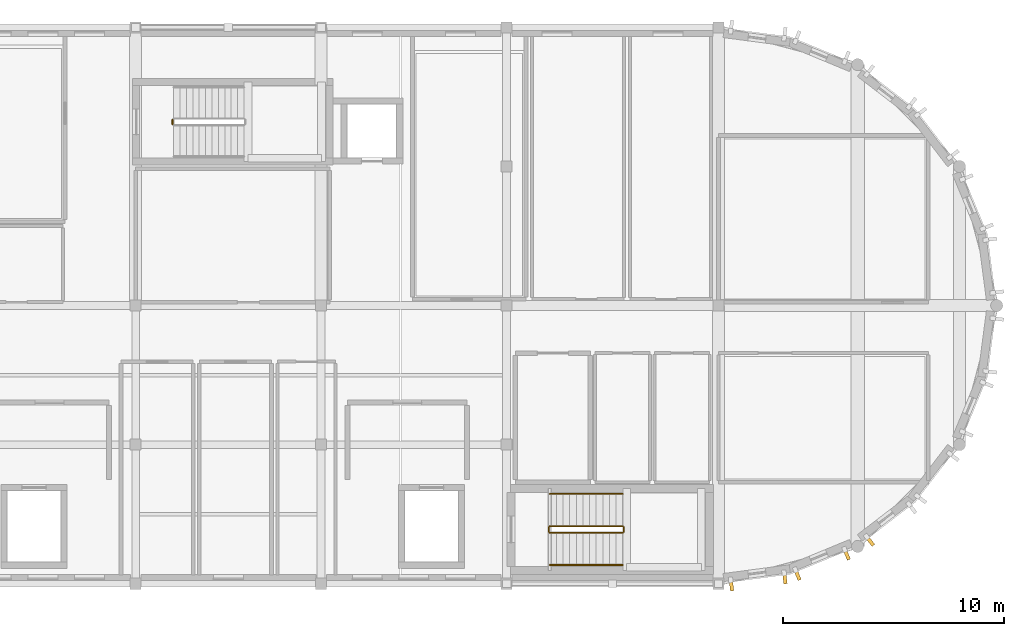
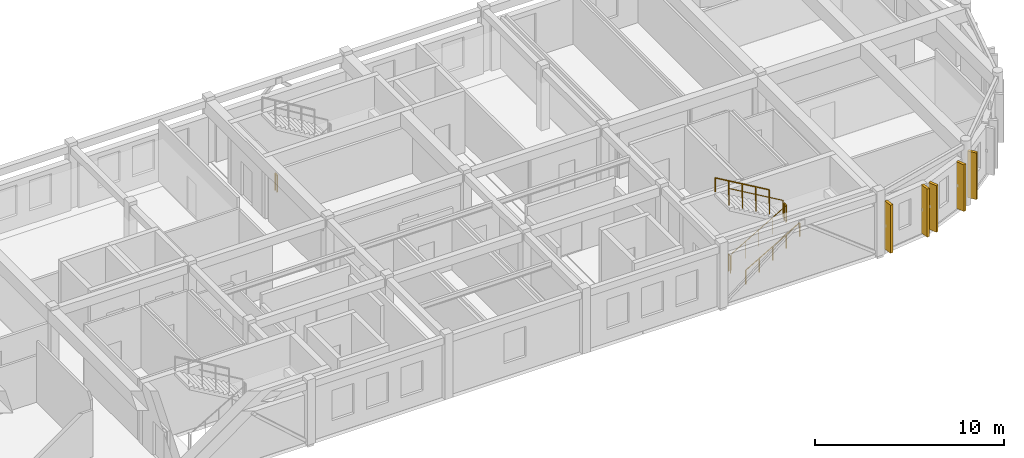
# One storey, part 9 of 11: 7 railings, 5 coverings.
"""IFC4 building model written with IfcOpenShell, lengths in metres."""

from ifc_helpers import new_model, si_unit, direction, frame, origin, origin_2d, place, context, subcontext, project, spatial, rectangle, circle, extrude, material, layer, layer_set, type_object, element, save


model = new_model("IFC4")

# Units and contexts
model_context = context("Model", 3, precision=1e-05, world=origin(), true_north=direction((0.0, 1.0)))
body_context = subcontext(model_context, "Body", "Model", "MODEL_VIEW")
ifc_project = project(units=[si_unit("LENGTHUNIT", "METRE"), si_unit("AREAUNIT", "SQUARE_METRE"), si_unit("VOLUMEUNIT", "CUBIC_METRE"), si_unit("PLANEANGLEUNIT", "RADIAN"), si_unit("MASSUNIT", "GRAM", prefix="KILO")], contexts=[model_context])

# Site, building, storey
site_placement = place(None, origin())
site = spatial("IfcSite", under=ifc_project, at=site_placement, CompositionType="ELEMENT")
building_placement = place(site_placement, origin())
building = spatial("IfcBuilding", under=site, at=building_placement, Name="Tarnavel Promenade Courthouse", CompositionType="ELEMENT")
storey_placement = place(building_placement, frame((0.0, 0.0, 31.199951171875)))
storey = spatial("IfcBuildingStorey", under=building, at=storey_placement, Name="L08", CompositionType="ELEMENT", Elevation=31.199951171875)

# Railings
ifc_material_1 = material(Name="Brushed Bronze Tubular Stair Handrail")
railing_type_1 = type_object("IfcRailingType", Name="Brushed Bronze Tubular Stair Handrail (RL-HND-0900)", PredefinedType="HANDRAIL", material=ifc_material_1)
railing_1_placement = place(storey_placement, frame((94.360107421875, 80.050048828125, 0.175048828125)))
element("IfcRailing", 1, at=railing_1_placement, inside=storey, type_object=railing_type_1, Name="L08 ST-02 stair handrail 1", PredefinedType="HANDRAIL", context=body_context, shape_type="SweptSolid", body=[
    extrude(circle(Radius=0.02392578125, at=origin_2d()), frame((0.0, 0.0, 0.8759765625), z_axis=(0.863760357493, 0.0, 0.503902812876), x_axis=(0.0, 1.0, 0.0)), (0.0, 0.0, 1.0), 3.8203125),
    extrude(circle(Radius=0.02099609375, at=origin_2d()), origin(), (0.0, 0.0, 1.0), 0.851806640625),
    extrude(circle(Radius=0.02099609375, at=origin_2d()), frame((0.824951171875, 0.0, 0.481201171875)), (0.0, 0.0, 1.0), 0.851806640625),
    extrude(circle(Radius=0.02099609375, at=origin_2d()), frame((1.64990234375, 0.0, 0.96240234375)), (0.0, 0.0, 1.0), 0.851806640625),
    extrude(circle(Radius=0.02099609375, at=origin_2d()), frame((2.474853515625, 0.0, 1.44384765625)), (0.0, 0.0, 1.0), 0.851806640625),
    extrude(circle(Radius=0.02099609375, at=origin_2d()), frame((3.2998046875, 0.0, 1.925048828125)), (0.0, 0.0, 1.0), 0.851806640625),
])
railing_2_placement = place(storey_placement, frame((97.659912109375, 83.27001953125, 2.275146484375)))
element("IfcRailing", 2, at=railing_2_placement, inside=storey, type_object=railing_type_1, Name="L08 ST-02 stair handrail 2", PredefinedType="HANDRAIL", context=body_context, shape_type="SweptSolid", body=[
    extrude(circle(Radius=0.02392578125, at=origin_2d()), frame((0.0, 0.0, 0.8759765625), z_axis=(-0.863788172461, 0.0, 0.503855131081), x_axis=(0.0, -1.0, 0.0)), (0.0, 0.0, 1.0), 3.820068359375),
    extrude(circle(Radius=0.02099609375, at=origin_2d()), origin(), (0.0, 0.0, 1.0), 0.851806640625),
    extrude(circle(Radius=0.02099609375, at=origin_2d()), frame((-0.824951171875, 0.0, 0.481201171875)), (0.0, 0.0, 1.0), 0.851806640625),
    extrude(circle(Radius=0.02099609375, at=origin_2d()), frame((-1.64990234375, 0.0, 0.96240234375)), (0.0, 0.0, 1.0), 0.851806640625),
    extrude(circle(Radius=0.02099609375, at=origin_2d()), frame((-2.474853515625, 0.0, 1.443603515625)), (0.0, 0.0, 1.0), 0.851806640625),
    extrude(circle(Radius=0.02099609375, at=origin_2d()), frame((-3.2998046875, 0.0, 1.9248046875)), (0.0, 0.0, 1.0), 0.851806640625),
])
ifc_material_2 = material(Name="Painted Architectural Steel Core Stair Guardrail", Category="steel")
railing_type_2 = type_object("IfcRailingType", Name="Painted Architectural Steel Core Stair Guardrail (RL-GRD-1100)", PredefinedType="GUARDRAIL", material=ifc_material_2)
railing_3_placement = place(storey_placement, frame((94.360107421875, 81.510009765625, 0.175048828125)))
element("IfcRailing", 3, at=railing_3_placement, inside=storey, type_object=railing_type_2, Name="L08 ST-02 stair guard 1", PredefinedType="GUARDRAIL", context=body_context, shape_type="SweptSolid", body=[
    extrude(circle(Radius=0.02392578125, at=origin_2d()), frame((0.0, 0.0, 1.076171875), z_axis=(0.863760357493, 0.0, 0.503902812876), x_axis=(0.0, 1.0, 0.0)), (0.0, 0.0, 1.0), 3.8203125),
    extrude(circle(Radius=0.02099609375, at=origin_2d()), origin(), (0.0, 0.0, 1.0), 1.052001953125),
    extrude(circle(Radius=0.02099609375, at=origin_2d()), frame((0.824951171875, 0.0, 0.481201171875)), (0.0, 0.0, 1.0), 1.052001953125),
    extrude(circle(Radius=0.02099609375, at=origin_2d()), frame((1.64990234375, 0.0, 0.96240234375)), (0.0, 0.0, 1.0), 1.052001953125),
    extrude(circle(Radius=0.02099609375, at=origin_2d()), frame((2.474853515625, 0.0, 1.44384765625)), (0.0, 0.0, 1.0), 1.052001953125),
    extrude(circle(Radius=0.02099609375, at=origin_2d()), frame((3.2998046875, 0.0, 1.925048828125)), (0.0, 0.0, 1.0), 1.052001953125),
])
railing_4_placement = place(storey_placement, frame((97.7099609375, 81.56005859375, 2.10009765625)))
element("IfcRailing", 4, at=railing_4_placement, inside=storey, type_object=railing_type_2, Name="L08 ST-02 stair guard 2", PredefinedType="GUARDRAIL", context=body_context, shape_type="SweptSolid", body=[
    extrude(circle(Radius=0.02392578125, at=origin_2d()), frame((0.0, 0.0, 1.076171875), z_axis=(0.0, 1.0, 0.0), x_axis=(-1.0, 0.0, 0.0)), (0.0, 0.0, 1.0), 0.199951171875),
    extrude(circle(Radius=0.02099609375, at=origin_2d()), origin(), (0.0, 0.0, 1.0), 1.052001953125),
    extrude(circle(Radius=0.02099609375, at=origin_2d()), frame((0.0, 0.199951171875, 0.0)), (0.0, 0.0, 1.0), 1.052001953125),
])
railing_5_placement = place(storey_placement, frame((97.659912109375, 81.81005859375, 2.275146484375)))
element("IfcRailing", 5, at=railing_5_placement, inside=storey, type_object=railing_type_2, Name="L08 ST-02 stair guard 3", PredefinedType="GUARDRAIL", context=body_context, shape_type="SweptSolid", body=[
    extrude(circle(Radius=0.02392578125, at=origin_2d()), frame((0.0, 0.0, 1.076171875), z_axis=(-0.863788172461, 0.0, 0.503855131081), x_axis=(0.0, -1.0, 0.0)), (0.0, 0.0, 1.0), 3.820068359375),
    extrude(circle(Radius=0.02099609375, at=origin_2d()), origin(), (0.0, 0.0, 1.0), 1.052001953125),
    extrude(circle(Radius=0.02099609375, at=origin_2d()), frame((-0.824951171875, 0.0, 0.481201171875)), (0.0, 0.0, 1.0), 1.052001953125),
    extrude(circle(Radius=0.02099609375, at=origin_2d()), frame((-1.64990234375, 0.0, 0.96240234375)), (0.0, 0.0, 1.0), 1.052001953125),
    extrude(circle(Radius=0.02099609375, at=origin_2d()), frame((-2.474853515625, 0.0, 1.443603515625)), (0.0, 0.0, 1.0), 1.052001953125),
    extrude(circle(Radius=0.02099609375, at=origin_2d()), frame((-3.2998046875, 0.0, 1.9248046875)), (0.0, 0.0, 1.0), 1.052001953125),
])
for number, where, name in (
    (6, (94.31005859375, 81.56005859375, 0.0), "L08 ST-02 stair guard 4"),
    (7, (77.27001953125, 100.02001953125, 0.0), "L08 ST-03 stair guard 4"),
):
    element("IfcRailing", number, at=place(storey_placement, frame(where)), inside=storey, type_object=railing_type_2, Name=name, PredefinedType="GUARDRAIL", context=body_context, shape_type="SweptSolid", body=[
        extrude(circle(Radius=0.02392578125, at=origin_2d()), frame((0.0, 0.0, 1.076171875), z_axis=(0.0, 1.0, 0.0), x_axis=(-1.0, 0.0, 0.0)), (0.0, 0.0, 1.0), 0.199951171875),
        extrude(circle(Radius=0.02099609375, at=origin_2d()), origin(), (0.0, 0.0, 1.0), 1.052001953125),
        extrude(circle(Radius=0.02099609375, at=origin_2d()), frame((0.0, 0.199951171875, 0.0)), (0.0, 0.0, 1.0), 1.052001953125),
    ])

# Coverings
ifc_material_3 = material(Name="Patinated Copper-Bronze Fluted Pier Cladding")
ifc_layer = layer(ifc_material_3, 0.52001953125)
ifc_layer_set = layer_set([ifc_layer], Name="Patinated Copper-Bronze Fluted Pier Cladding")
covering_type = type_object("IfcCoveringType", Name="Patinated Copper-Bronze Fluted Pier Cladding COV-PIER-520 (520 mm)", PredefinedType="CLADDING", material=ifc_layer_set)
for number, where, z_axis, x_axis, name in (
    (8, (102.58349609375, 79.135498046875, 0.0), (0.0, 0.0, 1.0), (0.991444861374, 0.13052619222, 0.0), "L08 E Drum Fluted Copper Pier 0295"),
    (9, (105.001708984375, 79.4541015625, 0.0), (0.0, 0.0, 1.0), (0.991444861374, 0.13052619222, 0.0), "L08 E Drum Fluted Copper Pier 0296"),
):
    element("IfcCovering", number, at=place(storey_placement, frame(where, z_axis=z_axis, x_axis=x_axis)), inside=storey, type_object=covering_type, Name=name, PredefinedType="CLADDING", context=body_context, shape_type="SweptSolid", body=[
        extrude(rectangle(XDim=0.159912109375, YDim=0.52001953125, at=origin_2d()), origin(), (0.0, 0.0, 1.0), 3.110107421875),
    ])
for number, where, z_axis, x_axis, name in (
    (10, (105.573486328125, 79.607177734375, 0.0), (0.0, 0.0, 1.0), (0.923879532511, 0.382683432365, 0.0), "L08 E Drum Fluted Copper Pier 0297"),
    (11, (107.803955078125, 80.531005859375, 0.0), (0.0, 0.0, 1.0), (0.923879532511, 0.382683432365, 0.0), "L08 E Drum Fluted Copper Pier 0298"),
    (12, (108.857421875, 81.13916015625, 0.0), (0.0, 0.0, 1.0), (0.793353340291, 0.608761429009, 0.0), "L08 E Drum Fluted Copper Pier 0299"),
):
    element("IfcCovering", number, at=place(storey_placement, frame(where, z_axis=z_axis, x_axis=x_axis)), inside=storey, type_object=covering_type, Name=name, PredefinedType="CLADDING", context=body_context, shape_type="SweptSolid", body=[
        extrude(rectangle(XDim=0.159912109375, YDim=0.52001953125, at=origin_2d()), origin(), (0.0, 0.0, 1.0), 3.010009765625),
    ])

save(model, "model.ifc")
